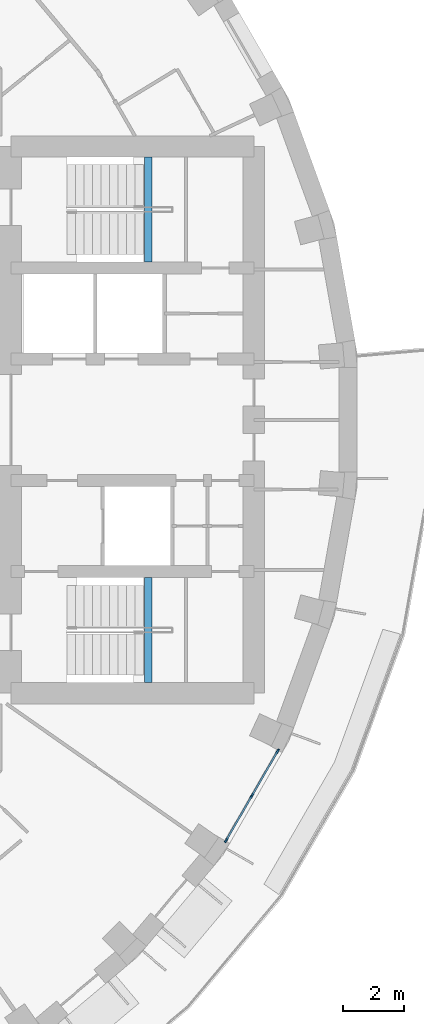
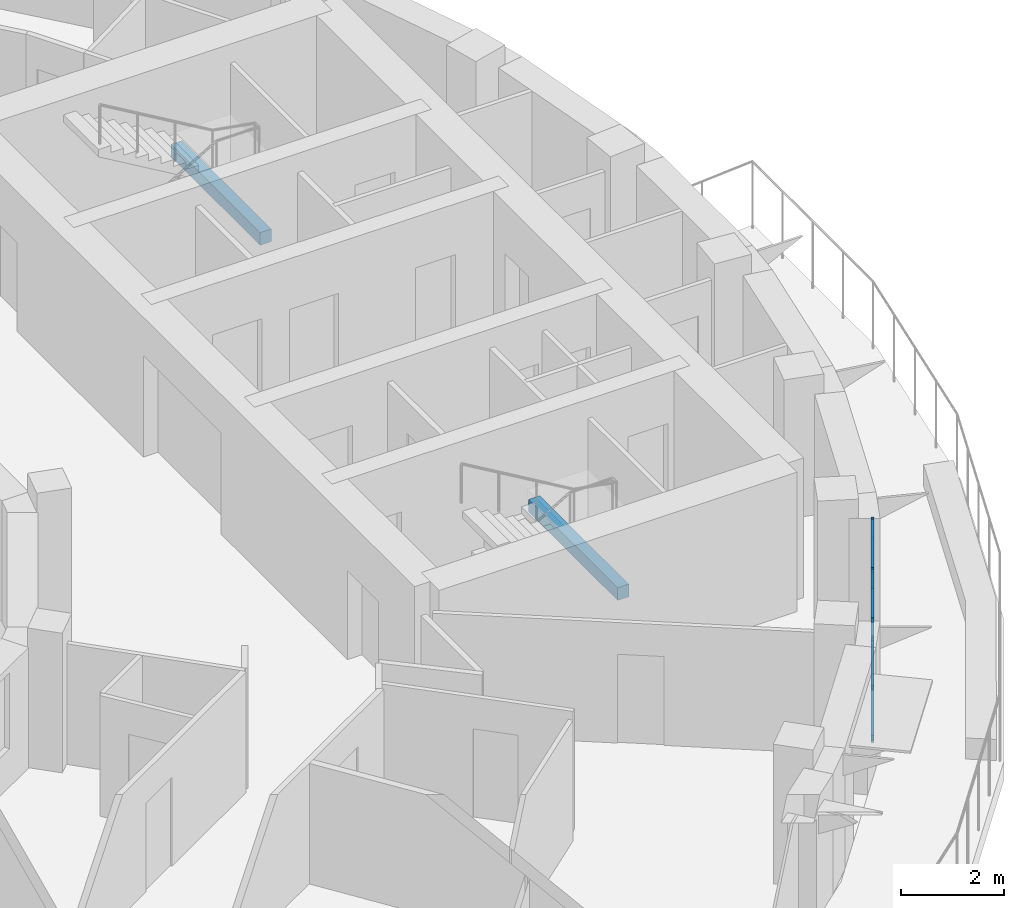
# One storey, part 2 of 14: 9 members, 2 beams, 1 element without a shape of its own.
"""IFC4 building model written with IfcOpenShell, lengths in metres."""

from ifc_helpers import new_model, si_unit, direction, frame, origin, origin_2d, place, context, subcontext, project, spatial, rectangle, extrude, material, layer, layer_set, material_profile, profile_set, type_object, element, aggregate, save


model = new_model("IFC4")

# Units and contexts
model_context = context("Model", 3, precision=1e-05, world=origin(), true_north=direction((0.0, 1.0)))
body_context = subcontext(model_context, "Body", "Model", "MODEL_VIEW")
ifc_project = project(units=[si_unit("LENGTHUNIT", "METRE"), si_unit("AREAUNIT", "SQUARE_METRE"), si_unit("VOLUMEUNIT", "CUBIC_METRE"), si_unit("PLANEANGLEUNIT", "RADIAN"), si_unit("MASSUNIT", "GRAM", prefix="KILO")], contexts=[model_context])

# Site, building, storey
site_placement = place(None, origin())
site = spatial("IfcSite", under=ifc_project, at=site_placement, CompositionType="ELEMENT")
building_placement = place(site_placement, origin())
building = spatial("IfcBuilding", under=site, at=building_placement, Name="Saqina Gate Tower", CompositionType="ELEMENT")
storey_placement = place(building_placement, frame((0.0, 0.0, 174.0)))
storey = spatial("IfcBuildingStorey", under=building, at=storey_placement, Name="L49", CompositionType="ELEMENT", Elevation=174.0)

# Curtain wall, members
ifc_material_1 = material(Name="Aluminium glazing", Category="aluminium")
ifc_layer = layer(ifc_material_1, 0.159912109375)
ifc_layer_set = layer_set([ifc_layer], Name="CWT-4")
curtain_wall_type = type_object("IfcCurtainWallType", Name="CWT-4", PredefinedType="NOTDEFINED", material=ifc_layer_set)
curtain_wall_placement = place(storey_placement, origin())
curtain_wall = element("IfcCurtainWall", 1, at=curtain_wall_placement, inside=storey, type_object=curtain_wall_type, Name="Terrace lounge glazing facet 33", PredefinedType="NOTDEFINED")
ifc_material_2 = material(Name="Aluminium", Category="aluminium")
ifc_material_profile_1 = material_profile(ifc_material_2, rectangle(XDim=0.06005859375, YDim=0.159912109375, at=origin_2d()), Name="Aluminium 60x160")
ifc_profile_set_1 = profile_set([ifc_material_profile_1], Name="Aluminium")
member_type_1 = type_object("IfcMemberType", Name="CWT-4M", PredefinedType="MULLION", material=ifc_profile_set_1)
member_1_placement = place(storey_placement, frame((20.5908203125, -13.84521484375, 0.0), z_axis=(0.0, 0.0, 1.0), x_axis=(-0.866017110341, 0.500014364391, 0.0)))
member_1 = element("IfcMember", 2, at=member_1_placement, type_object=member_type_1, Name="CW4-33 mullion 1", PredefinedType="MULLION", context=body_context, shape_type="SweptSolid", body=[
    extrude(rectangle(XDim=0.06005859375, YDim=0.159912109375, at=origin_2d()), origin(), (0.0, 0.0, 1.0), 2.85009765625),
])
member_2_placement = place(storey_placement, frame((21.438232421875, -12.37744140625, 0.0), z_axis=(0.0, 0.0, 1.0), x_axis=(-0.866017110341, 0.500014364391, 0.0)))
member_2 = element("IfcMember", 3, at=member_2_placement, type_object=member_type_1, Name="CW4-33 mullion 2", PredefinedType="MULLION", context=body_context, shape_type="SweptSolid", body=[
    extrude(rectangle(XDim=0.06005859375, YDim=0.159912109375, at=origin_2d()), origin(), (0.0, 0.0, 1.0), 2.85009765625),
])
member_3_placement = place(storey_placement, frame((22.285888671875, -10.90966796875, 0.0), z_axis=(0.0, 0.0, 1.0), x_axis=(-0.866017110341, 0.500014364391, 0.0)))
member_3 = element("IfcMember", 4, at=member_3_placement, type_object=member_type_1, Name="CW4-33 mullion 3", PredefinedType="MULLION", context=body_context, shape_type="SweptSolid", body=[
    extrude(rectangle(XDim=0.06005859375, YDim=0.159912109375, at=origin_2d()), origin(), (0.0, 0.0, 1.0), 2.85009765625),
])
ifc_material_3 = material(Name="Aluminium", Category="aluminium")
ifc_material_profile_2 = material_profile(ifc_material_3, rectangle(XDim=0.06005859375, YDim=0.1201171875, at=origin_2d()), Name="Aluminium 60x120")
ifc_profile_set_2 = profile_set([ifc_material_profile_2], Name="Aluminium")
member_type_2 = type_object("IfcMemberType", Name="CWT-4T", PredefinedType="USERDEFINED", material=ifc_profile_set_2)
member_4_placement = place(storey_placement, frame((20.60595703125, -13.8193359375, 0.030029296875), z_axis=(0.499929268946, 0.866066236526, 0.0), x_axis=(-0.866066236526, 0.499929268946, 0.0)))
member_4 = element("IfcMember", 5, at=member_4_placement, type_object=member_type_2, Name="CW4-33 transom 1.1", ObjectType="TRANSOM", PredefinedType="USERDEFINED", context=body_context, shape_type="SweptSolid", body=[
    extrude(rectangle(XDim=0.06005859375, YDim=0.1201171875, at=origin_2d()), origin(), (0.0, 0.0, 1.0), 1.635009765625),
])
member_5_placement = place(storey_placement, frame((20.60595703125, -13.8193359375, 2.39990234375), z_axis=(0.499929268946, 0.866066236526, 0.0), x_axis=(-0.866066236526, 0.499929268946, 0.0)))
member_5 = element("IfcMember", 6, at=member_5_placement, type_object=member_type_2, Name="CW4-33 transom 1.2", ObjectType="TRANSOM", PredefinedType="USERDEFINED", context=body_context, shape_type="SweptSolid", body=[
    extrude(rectangle(XDim=0.06005859375, YDim=0.1201171875, at=origin_2d()), origin(), (0.0, 0.0, 1.0), 1.635009765625),
])
member_6_placement = place(storey_placement, frame((20.60595703125, -13.8193359375, 2.820068359375), z_axis=(0.499929268946, 0.866066236526, 0.0), x_axis=(-0.866066236526, 0.499929268946, 0.0)))
member_6 = element("IfcMember", 7, at=member_6_placement, type_object=member_type_2, Name="CW4-33 transom 1.3", ObjectType="TRANSOM", PredefinedType="USERDEFINED", context=body_context, shape_type="SweptSolid", body=[
    extrude(rectangle(XDim=0.06005859375, YDim=0.1201171875, at=origin_2d()), origin(), (0.0, 0.0, 1.0), 1.635009765625),
])
member_7_placement = place(storey_placement, frame((21.453369140625, -12.3515625, 0.030029296875), z_axis=(0.499929268946, 0.866066236526, 0.0), x_axis=(-0.866066236526, 0.499929268946, 0.0)))
member_7 = element("IfcMember", 8, at=member_7_placement, type_object=member_type_2, Name="CW4-33 transom 2.1", ObjectType="TRANSOM", PredefinedType="USERDEFINED", context=body_context, shape_type="SweptSolid", body=[
    extrude(rectangle(XDim=0.06005859375, YDim=0.1201171875, at=origin_2d()), origin(), (0.0, 0.0, 1.0), 1.635009765625),
])
member_8_placement = place(storey_placement, frame((21.453369140625, -12.3515625, 2.39990234375), z_axis=(0.499929268946, 0.866066236526, 0.0), x_axis=(-0.866066236526, 0.499929268946, 0.0)))
member_8 = element("IfcMember", 9, at=member_8_placement, type_object=member_type_2, Name="CW4-33 transom 2.2", ObjectType="TRANSOM", PredefinedType="USERDEFINED", context=body_context, shape_type="SweptSolid", body=[
    extrude(rectangle(XDim=0.06005859375, YDim=0.1201171875, at=origin_2d()), origin(), (0.0, 0.0, 1.0), 1.635009765625),
])
member_9_placement = place(storey_placement, frame((21.453369140625, -12.3515625, 2.820068359375), z_axis=(0.499929268946, 0.866066236526, 0.0), x_axis=(-0.866066236526, 0.499929268946, 0.0)))
member_9 = element("IfcMember", 10, at=member_9_placement, type_object=member_type_2, Name="CW4-33 transom 2.3", ObjectType="TRANSOM", PredefinedType="USERDEFINED", context=body_context, shape_type="SweptSolid", body=[
    extrude(rectangle(XDim=0.06005859375, YDim=0.1201171875, at=origin_2d()), origin(), (0.0, 0.0, 1.0), 1.635009765625),
])
aggregate(curtain_wall, [member_1, member_2, member_3, member_4, member_5, member_6, member_7, member_8, member_9])

# Beams
ifc_material_4 = material(Name="Concrete C40/50", Category="concrete")
ifc_material_profile_3 = material_profile(ifc_material_4, rectangle(XDim=0.25, YDim=0.300048828125, at=origin_2d()), Name="STAIR LANDING BEAM")
ifc_profile_set_3 = profile_set([ifc_material_profile_3], Name="Concrete C40/50")
beam_type = type_object("IfcBeamType", Name="STAIR LANDING BEAM", PredefinedType="BEAM", material=ifc_profile_set_3)
for number, where, z_axis, x_axis, name in (
    (11, (18.02001953125, 5.199951171875, 1.25), (0.0, 1.0, 0.0), (-1.0, 0.0, 0.0), "EXIT STAIR 1 LANDING BEAM"),
    (12, (18.02001953125, -8.64990234375, 1.25), (0.0, 1.0, 0.0), (-1.0, 0.0, 0.0), "EXIT STAIR 2 LANDING BEAM"),
):
    element("IfcBeam", number, at=place(storey_placement, frame(where, z_axis=z_axis, x_axis=x_axis)), inside=storey, type_object=beam_type, Name=name, PredefinedType="BEAM", context=body_context, shape_type="SweptSolid", body=[
        extrude(rectangle(XDim=0.25, YDim=0.300048828125, at=origin_2d()), origin(), (0.0, 0.0, 1.0), 3.449951171875),
    ])

save(model, "model.ifc")
